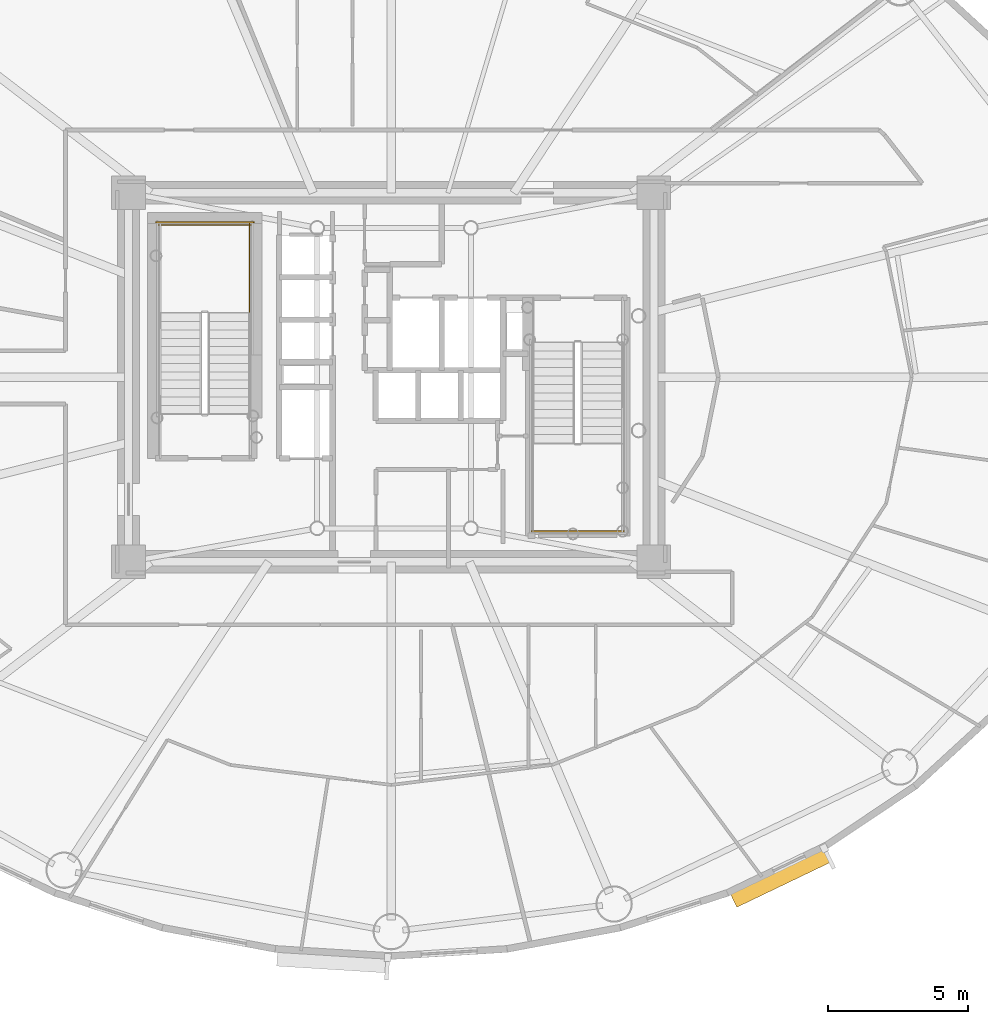
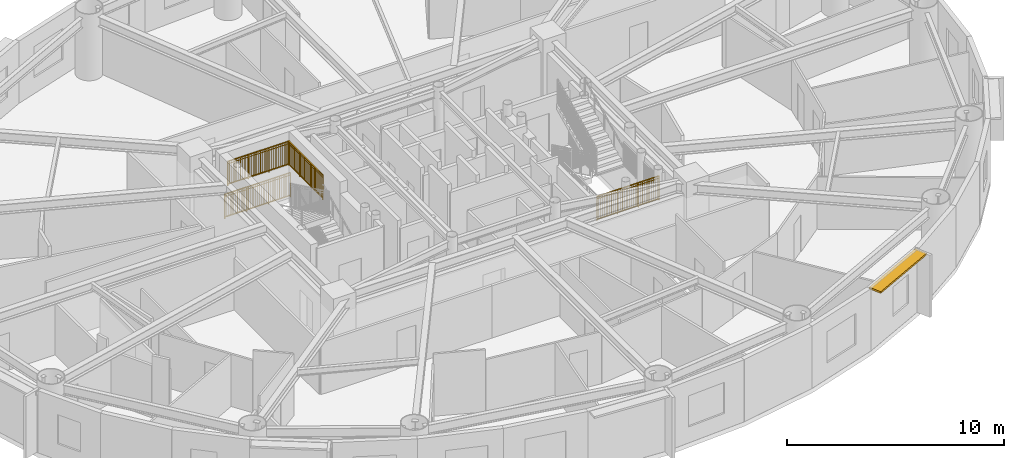
# One storey, part 15 of 18: 4 railings, 1 shading device.
"""IFC4 building model written with IfcOpenShell, lengths in metres."""

from ifc_helpers import new_model, si_unit, direction, frame, origin, origin_2d, place, context, subcontext, project, spatial, rectangle, extrude, source, transform, mapped, material, layer, layer_set, type_object, element, save


model = new_model("IFC4")

# Units and contexts
model_context = context("Model", 3, precision=1e-05, world=origin(), true_north=direction((0.0, 1.0)))
body_context = subcontext(model_context, "Body", "Model", "MODEL_VIEW")
ifc_project = project(units=[si_unit("LENGTHUNIT", "METRE"), si_unit("AREAUNIT", "SQUARE_METRE"), si_unit("VOLUMEUNIT", "CUBIC_METRE"), si_unit("PLANEANGLEUNIT", "RADIAN"), si_unit("MASSUNIT", "GRAM", prefix="KILO")], contexts=[model_context])

# Site, building, storey
site_placement = place(None, origin())
site = spatial("IfcSite", under=ifc_project, at=site_placement, CompositionType="ELEMENT")
building_placement = place(site_placement, origin())
building = spatial("IfcBuilding", under=site, at=building_placement, Name="Linh Dai School and Residence Tower", CompositionType="ELEMENT")
storey_placement = place(building_placement, frame((0.0, 0.0, 186.14990234375)))
storey = spatial("IfcBuildingStorey", under=building, at=storey_placement, Name="L45", CompositionType="ELEMENT", Elevation=186.14990234375)

# Shading device
ifc_material_1 = material(Name="Terracotta Ceramic Sunshade", Category="masonry")
ifc_layer = layer(ifc_material_1, 0.10009765625)
ifc_layer_set = layer_set([ifc_layer], Name="Terracotta Ceramic Sunshade")
shading_device_type = type_object("IfcShadingDeviceType", Name="SHD-TC-650", PredefinedType="USERDEFINED", material=ifc_layer_set)
shared_shape_1 = source(origin(), body_context, "Body", "SweptSolid", [
    extrude(rectangle(XDim=3.773193359375, YDim=0.64990234375, at=origin_2d()), origin(), (0.0, 0.0, 1.0), 0.10009765625),
])
shading_device_placement = place(storey_placement, frame((49.9248046875, 9.149658203125, 3.380126953125), z_axis=(0.0, 0.0, 1.0), x_axis=(-0.901569306779, -0.432634701653, 0.0)))
element("IfcShadingDevice", 1, at=shading_device_placement, inside=storey, type_object=shading_device_type, Name="L45 Terracotta Horizontal Sunshade Band 34", ObjectType="SUNSHADE", PredefinedType="USERDEFINED", context=body_context, shape_type="MappedRepresentation", body=[
    mapped(shared_shape_1, transform((0.0, 0.0, 0.0), x_axis=(1.0, 0.0, 0.0), y_axis=(0.0, 1.0, 0.0), z_axis=(0.0, 0.0, 1.0), scale=1.0)),
])

# Railings
ifc_material_2 = material(Name="Structural Steel S355JR", Category="steel")
railing_type = type_object("IfcRailingType", Name="RL-ST-GUARD-1400", PredefinedType="GUARDRAIL", material=ifc_material_2)
shared_shape_2 = source(origin(), body_context, "Body", "SweptSolid", [
    extrude(rectangle(XDim=0.048095703125, YDim=0.048095703125, at=origin_2d()), frame((0.0, 0.0, 1.3759765625), z_axis=(-1.0, 0.0, 0.0), x_axis=(0.0, -1.0, 0.0)), (0.0, 0.0, 1.0), 3.300048828125),
    extrude(rectangle(XDim=0.048095703125, YDim=0.048095703125, at=origin_2d()), frame((0.0, 0.0, 0.10009765625), z_axis=(-1.0, 0.0, 0.0), x_axis=(0.0, -1.0, 0.0)), (0.0, 0.0, 1.0), 3.300048828125),
    extrude(rectangle(XDim=0.030029296875, YDim=0.030029296875, at=origin_2d()), frame((0.0, 0.0, 1.239990234375), z_axis=(-1.0, 0.0, 0.0), x_axis=(0.0, -1.0, 0.0)), (0.0, 0.0, 1.0), 3.300048828125),
    extrude(rectangle(XDim=0.02001953125, YDim=0.02001953125, at=origin_2d()), frame((-0.09716796875, 0.0, 0.10009765625)), (0.0, 0.0, 1.0), 1.251708984375),
    extrude(rectangle(XDim=0.02001953125, YDim=0.02001953125, at=origin_2d()), frame((-0.194091796875, 0.0, 0.10009765625)), (0.0, 0.0, 1.0), 1.251708984375),
    extrude(rectangle(XDim=0.02001953125, YDim=0.02001953125, at=origin_2d()), frame((-0.291259765625, 0.0, 0.10009765625)), (0.0, 0.0, 1.0), 1.251708984375),
    extrude(rectangle(XDim=0.02001953125, YDim=0.02001953125, at=origin_2d()), frame((-0.38818359375, 0.0, 0.10009765625)), (0.0, 0.0, 1.0), 1.251708984375),
    extrude(rectangle(XDim=0.02001953125, YDim=0.02001953125, at=origin_2d()), frame((-0.4853515625, 0.0, 0.10009765625)), (0.0, 0.0, 1.0), 1.251708984375),
    extrude(rectangle(XDim=0.02001953125, YDim=0.02001953125, at=origin_2d()), frame((-0.582275390625, 0.0, 0.10009765625)), (0.0, 0.0, 1.0), 1.251708984375),
    extrude(rectangle(XDim=0.02001953125, YDim=0.02001953125, at=origin_2d()), frame((-0.679443359375, 0.0, 0.10009765625)), (0.0, 0.0, 1.0), 1.251708984375),
    extrude(rectangle(XDim=0.02001953125, YDim=0.02001953125, at=origin_2d()), frame((-0.7763671875, 0.0, 0.10009765625)), (0.0, 0.0, 1.0), 1.251708984375),
    extrude(rectangle(XDim=0.02001953125, YDim=0.02001953125, at=origin_2d()), frame((-0.87353515625, 0.0, 0.10009765625)), (0.0, 0.0, 1.0), 1.251708984375),
    extrude(rectangle(XDim=0.02001953125, YDim=0.02001953125, at=origin_2d()), frame((-0.970703125, 0.0, 0.10009765625)), (0.0, 0.0, 1.0), 1.251708984375),
    extrude(rectangle(XDim=0.02001953125, YDim=0.02001953125, at=origin_2d()), frame((-1.164794921875, 0.0, 0.10009765625)), (0.0, 0.0, 1.0), 1.251708984375),
    extrude(rectangle(XDim=0.02001953125, YDim=0.02001953125, at=origin_2d()), frame((-1.26171875, 0.0, 0.10009765625)), (0.0, 0.0, 1.0), 1.251708984375),
    extrude(rectangle(XDim=0.02001953125, YDim=0.02001953125, at=origin_2d()), frame((-1.35888671875, 0.0, 0.10009765625)), (0.0, 0.0, 1.0), 1.251708984375),
    extrude(rectangle(XDim=0.02001953125, YDim=0.02001953125, at=origin_2d()), frame((-1.455810546875, 0.0, 0.10009765625)), (0.0, 0.0, 1.0), 1.251708984375),
    extrude(rectangle(XDim=0.02001953125, YDim=0.02001953125, at=origin_2d()), frame((-1.552978515625, 0.0, 0.10009765625)), (0.0, 0.0, 1.0), 1.251708984375),
    extrude(rectangle(XDim=0.02001953125, YDim=0.02001953125, at=origin_2d()), frame((-1.64990234375, 0.0, 0.10009765625)), (0.0, 0.0, 1.0), 1.251708984375),
    extrude(rectangle(XDim=0.02001953125, YDim=0.02001953125, at=origin_2d()), frame((-1.7470703125, 0.0, 0.10009765625)), (0.0, 0.0, 1.0), 1.251708984375),
    extrude(rectangle(XDim=0.02001953125, YDim=0.02001953125, at=origin_2d()), frame((-1.84423828125, 0.0, 0.10009765625)), (0.0, 0.0, 1.0), 1.251708984375),
    extrude(rectangle(XDim=0.02001953125, YDim=0.02001953125, at=origin_2d()), frame((-1.941162109375, 0.0, 0.10009765625)), (0.0, 0.0, 1.0), 1.251708984375),
    extrude(rectangle(XDim=0.02001953125, YDim=0.02001953125, at=origin_2d()), frame((-2.038330078125, 0.0, 0.10009765625)), (0.0, 0.0, 1.0), 1.251708984375),
    extrude(rectangle(XDim=0.02001953125, YDim=0.02001953125, at=origin_2d()), frame((-2.13525390625, 0.0, 0.10009765625)), (0.0, 0.0, 1.0), 1.251708984375),
    extrude(rectangle(XDim=0.02001953125, YDim=0.02001953125, at=origin_2d()), frame((-2.329345703125, 0.0, 0.10009765625)), (0.0, 0.0, 1.0), 1.251708984375),
    extrude(rectangle(XDim=0.02001953125, YDim=0.02001953125, at=origin_2d()), frame((-2.426513671875, 0.0, 0.10009765625)), (0.0, 0.0, 1.0), 1.251708984375),
    extrude(rectangle(XDim=0.02001953125, YDim=0.02001953125, at=origin_2d()), frame((-2.523681640625, 0.0, 0.10009765625)), (0.0, 0.0, 1.0), 1.251708984375),
    extrude(rectangle(XDim=0.02001953125, YDim=0.02001953125, at=origin_2d()), frame((-2.62060546875, 0.0, 0.10009765625)), (0.0, 0.0, 1.0), 1.251708984375),
    extrude(rectangle(XDim=0.02001953125, YDim=0.02001953125, at=origin_2d()), frame((-2.7177734375, 0.0, 0.10009765625)), (0.0, 0.0, 1.0), 1.251708984375),
    extrude(rectangle(XDim=0.02001953125, YDim=0.02001953125, at=origin_2d()), frame((-2.814697265625, 0.0, 0.10009765625)), (0.0, 0.0, 1.0), 1.251708984375),
    extrude(rectangle(XDim=0.02001953125, YDim=0.02001953125, at=origin_2d()), frame((-2.911865234375, 0.0, 0.10009765625)), (0.0, 0.0, 1.0), 1.251708984375),
    extrude(rectangle(XDim=0.02001953125, YDim=0.02001953125, at=origin_2d()), frame((-3.0087890625, 0.0, 0.10009765625)), (0.0, 0.0, 1.0), 1.251708984375),
    extrude(rectangle(XDim=0.02001953125, YDim=0.02001953125, at=origin_2d()), frame((-3.10595703125, 0.0, 0.10009765625)), (0.0, 0.0, 1.0), 1.251708984375),
    extrude(rectangle(XDim=0.02001953125, YDim=0.02001953125, at=origin_2d()), frame((-3.202880859375, 0.0, 0.10009765625)), (0.0, 0.0, 1.0), 1.251708984375),
    extrude(rectangle(XDim=0.0419921875, YDim=0.0419921875, at=origin_2d()), origin(), (0.0, 0.0, 1.0), 1.3759765625),
    extrude(rectangle(XDim=0.0419921875, YDim=0.0419921875, at=origin_2d()), frame((-1.10009765625, 0.0, 0.0)), (0.0, 0.0, 1.0), 1.3759765625),
    extrude(rectangle(XDim=0.0419921875, YDim=0.0419921875, at=origin_2d()), frame((-2.199951171875, 0.0, 0.0)), (0.0, 0.0, 1.0), 1.3759765625),
    extrude(rectangle(XDim=0.0419921875, YDim=0.0419921875, at=origin_2d()), frame((-3.300048828125, 0.0, 0.0)), (0.0, 0.0, 1.0), 1.3759765625),
])
railing_1_placement = place(storey_placement, frame((30.97998046875, 32.449951171875, 1.875)))
element("IfcRailing", 2, at=railing_1_placement, inside=storey, type_object=railing_type, Name="L45 ST1 stair guard 5", PredefinedType="GUARDRAIL", context=body_context, shape_type="MappedRepresentation", body=[
    mapped(shared_shape_2, transform((0.0, 0.0, 0.0), x_axis=(1.0, 0.0, 0.0), y_axis=(0.0, 1.0, 0.0), z_axis=(0.0, 0.0, 1.0), scale=1.0)),
])
shared_shape_3 = source(origin(), body_context, "Body", "SweptSolid", [
    extrude(rectangle(XDim=0.048095703125, YDim=0.048095703125, at=origin_2d()), frame((0.0, 0.0, 1.3759765625), z_axis=(-1.0, 0.0, 0.0), x_axis=(0.0, -1.0, 0.0)), (0.0, 0.0, 1.0), 3.5),
    extrude(rectangle(XDim=0.048095703125, YDim=0.048095703125, at=origin_2d()), frame((0.0, 0.0, 0.10009765625), z_axis=(-1.0, 0.0, 0.0), x_axis=(0.0, -1.0, 0.0)), (0.0, 0.0, 1.0), 3.5),
    extrude(rectangle(XDim=0.030029296875, YDim=0.030029296875, at=origin_2d()), frame((0.0, 0.0, 1.239990234375), z_axis=(-1.0, 0.0, 0.0), x_axis=(0.0, -1.0, 0.0)), (0.0, 0.0, 1.0), 3.5),
    extrude(rectangle(XDim=0.02001953125, YDim=0.02001953125, at=origin_2d()), frame((-0.09716796875, 0.0, 0.10009765625)), (0.0, 0.0, 1.0), 1.251708984375),
    extrude(rectangle(XDim=0.02001953125, YDim=0.02001953125, at=origin_2d()), frame((-0.1943359375, 0.0, 0.10009765625)), (0.0, 0.0, 1.0), 1.251708984375),
    extrude(rectangle(XDim=0.02001953125, YDim=0.02001953125, at=origin_2d()), frame((-0.291748046875, 0.0, 0.10009765625)), (0.0, 0.0, 1.0), 1.251708984375),
    extrude(rectangle(XDim=0.02001953125, YDim=0.02001953125, at=origin_2d()), frame((-0.388916015625, 0.0, 0.10009765625)), (0.0, 0.0, 1.0), 1.251708984375),
    extrude(rectangle(XDim=0.02001953125, YDim=0.02001953125, at=origin_2d()), frame((-0.486083984375, 0.0, 0.10009765625)), (0.0, 0.0, 1.0), 1.251708984375),
    extrude(rectangle(XDim=0.02001953125, YDim=0.02001953125, at=origin_2d()), frame((-0.583251953125, 0.0, 0.10009765625)), (0.0, 0.0, 1.0), 1.251708984375),
    extrude(rectangle(XDim=0.02001953125, YDim=0.02001953125, at=origin_2d()), frame((-0.6806640625, 0.0, 0.10009765625)), (0.0, 0.0, 1.0), 1.251708984375),
    extrude(rectangle(XDim=0.02001953125, YDim=0.02001953125, at=origin_2d()), frame((-0.77783203125, 0.0, 0.10009765625)), (0.0, 0.0, 1.0), 1.251708984375),
    extrude(rectangle(XDim=0.02001953125, YDim=0.02001953125, at=origin_2d()), frame((-0.875, 0.0, 0.10009765625)), (0.0, 0.0, 1.0), 1.251708984375),
    extrude(rectangle(XDim=0.02001953125, YDim=0.02001953125, at=origin_2d()), frame((-0.97216796875, 0.0, 0.10009765625)), (0.0, 0.0, 1.0), 1.251708984375),
    extrude(rectangle(XDim=0.02001953125, YDim=0.02001953125, at=origin_2d()), frame((-1.0693359375, 0.0, 0.10009765625)), (0.0, 0.0, 1.0), 1.251708984375),
    extrude(rectangle(XDim=0.02001953125, YDim=0.02001953125, at=origin_2d()), frame((-1.263916015625, 0.0, 0.10009765625)), (0.0, 0.0, 1.0), 1.251708984375),
    extrude(rectangle(XDim=0.02001953125, YDim=0.02001953125, at=origin_2d()), frame((-1.361083984375, 0.0, 0.10009765625)), (0.0, 0.0, 1.0), 1.251708984375),
    extrude(rectangle(XDim=0.02001953125, YDim=0.02001953125, at=origin_2d()), frame((-1.458251953125, 0.0, 0.10009765625)), (0.0, 0.0, 1.0), 1.251708984375),
    extrude(rectangle(XDim=0.02001953125, YDim=0.02001953125, at=origin_2d()), frame((-1.5556640625, 0.0, 0.10009765625)), (0.0, 0.0, 1.0), 1.251708984375),
    extrude(rectangle(XDim=0.02001953125, YDim=0.02001953125, at=origin_2d()), frame((-1.65283203125, 0.0, 0.10009765625)), (0.0, 0.0, 1.0), 1.251708984375),
    extrude(rectangle(XDim=0.02001953125, YDim=0.02001953125, at=origin_2d()), frame((-1.75, 0.0, 0.10009765625)), (0.0, 0.0, 1.0), 1.251708984375),
    extrude(rectangle(XDim=0.02001953125, YDim=0.02001953125, at=origin_2d()), frame((-1.84716796875, 0.0, 0.10009765625)), (0.0, 0.0, 1.0), 1.251708984375),
    extrude(rectangle(XDim=0.02001953125, YDim=0.02001953125, at=origin_2d()), frame((-1.9443359375, 0.0, 0.10009765625)), (0.0, 0.0, 1.0), 1.251708984375),
    extrude(rectangle(XDim=0.02001953125, YDim=0.02001953125, at=origin_2d()), frame((-2.041748046875, 0.0, 0.10009765625)), (0.0, 0.0, 1.0), 1.251708984375),
    extrude(rectangle(XDim=0.02001953125, YDim=0.02001953125, at=origin_2d()), frame((-2.138916015625, 0.0, 0.10009765625)), (0.0, 0.0, 1.0), 1.251708984375),
    extrude(rectangle(XDim=0.02001953125, YDim=0.02001953125, at=origin_2d()), frame((-2.236083984375, 0.0, 0.10009765625)), (0.0, 0.0, 1.0), 1.251708984375),
    extrude(rectangle(XDim=0.02001953125, YDim=0.02001953125, at=origin_2d()), frame((-2.4306640625, 0.0, 0.10009765625)), (0.0, 0.0, 1.0), 1.251708984375),
    extrude(rectangle(XDim=0.02001953125, YDim=0.02001953125, at=origin_2d()), frame((-2.52783203125, 0.0, 0.10009765625)), (0.0, 0.0, 1.0), 1.251708984375),
    extrude(rectangle(XDim=0.02001953125, YDim=0.02001953125, at=origin_2d()), frame((-2.625, 0.0, 0.10009765625)), (0.0, 0.0, 1.0), 1.251708984375),
    extrude(rectangle(XDim=0.02001953125, YDim=0.02001953125, at=origin_2d()), frame((-2.72216796875, 0.0, 0.10009765625)), (0.0, 0.0, 1.0), 1.251708984375),
    extrude(rectangle(XDim=0.02001953125, YDim=0.02001953125, at=origin_2d()), frame((-2.8193359375, 0.0, 0.10009765625)), (0.0, 0.0, 1.0), 1.251708984375),
    extrude(rectangle(XDim=0.02001953125, YDim=0.02001953125, at=origin_2d()), frame((-2.916748046875, 0.0, 0.10009765625)), (0.0, 0.0, 1.0), 1.251708984375),
    extrude(rectangle(XDim=0.02001953125, YDim=0.02001953125, at=origin_2d()), frame((-3.013916015625, 0.0, 0.10009765625)), (0.0, 0.0, 1.0), 1.251708984375),
    extrude(rectangle(XDim=0.02001953125, YDim=0.02001953125, at=origin_2d()), frame((-3.111083984375, 0.0, 0.10009765625)), (0.0, 0.0, 1.0), 1.251708984375),
    extrude(rectangle(XDim=0.02001953125, YDim=0.02001953125, at=origin_2d()), frame((-3.208251953125, 0.0, 0.10009765625)), (0.0, 0.0, 1.0), 1.251708984375),
    extrude(rectangle(XDim=0.02001953125, YDim=0.02001953125, at=origin_2d()), frame((-3.3056640625, 0.0, 0.10009765625)), (0.0, 0.0, 1.0), 1.251708984375),
    extrude(rectangle(XDim=0.02001953125, YDim=0.02001953125, at=origin_2d()), frame((-3.40283203125, 0.0, 0.10009765625)), (0.0, 0.0, 1.0), 1.251708984375),
    extrude(rectangle(XDim=0.0419921875, YDim=0.0419921875, at=origin_2d()), origin(), (0.0, 0.0, 1.0), 1.3759765625),
    extrude(rectangle(XDim=0.0419921875, YDim=0.0419921875, at=origin_2d()), frame((-1.166748046875, 0.0, 0.0)), (0.0, 0.0, 1.0), 1.3759765625),
    extrude(rectangle(XDim=0.0419921875, YDim=0.0419921875, at=origin_2d()), frame((-2.333251953125, 0.0, 0.0)), (0.0, 0.0, 1.0), 1.3759765625),
    extrude(rectangle(XDim=0.0419921875, YDim=0.0419921875, at=origin_2d()), frame((-3.5, 0.0, 0.0)), (0.0, 0.0, 1.0), 1.3759765625),
])
railing_2_placement = place(storey_placement, frame((31.080078125, 32.550048828125, 0.0)))
element("IfcRailing", 3, at=railing_2_placement, inside=storey, type_object=railing_type, Name="L45 ST1 stair guard 12", PredefinedType="GUARDRAIL", context=body_context, shape_type="MappedRepresentation", body=[
    mapped(shared_shape_3, transform((0.0, 0.0, 0.0), x_axis=(1.0, 0.0, 0.0), y_axis=(0.0, 1.0, 0.0), z_axis=(0.0, 0.0, 1.0), scale=1.0)),
])
shared_shape_4 = source(origin(), body_context, "Body", "SweptSolid", [
    extrude(rectangle(XDim=0.048095703125, YDim=0.048095703125, at=origin_2d()), frame((0.0, 0.0, 1.3759765625), z_axis=(0.0, 1.0, 0.0), x_axis=(-1.0, 0.0, 0.0)), (0.0, 0.0, 1.0), 3.199951171875),
    extrude(rectangle(XDim=0.048095703125, YDim=0.048095703125, at=origin_2d()), frame((0.0, 0.0, 0.10009765625), z_axis=(0.0, 1.0, 0.0), x_axis=(-1.0, 0.0, 0.0)), (0.0, 0.0, 1.0), 3.199951171875),
    extrude(rectangle(XDim=0.030029296875, YDim=0.030029296875, at=origin_2d()), frame((0.0, 0.0, 1.239990234375), z_axis=(0.0, 1.0, 0.0), x_axis=(-1.0, 0.0, 0.0)), (0.0, 0.0, 1.0), 3.199951171875),
    extrude(rectangle(XDim=0.02001953125, YDim=0.02001953125, at=origin_2d()), frame((0.0, 0.096923828125, 0.10009765625)), (0.0, 0.0, 1.0), 1.251708984375),
    extrude(rectangle(XDim=0.02001953125, YDim=0.02001953125, at=origin_2d()), frame((0.0, 0.19384765625, 0.10009765625)), (0.0, 0.0, 1.0), 1.251708984375),
    extrude(rectangle(XDim=0.02001953125, YDim=0.02001953125, at=origin_2d()), frame((0.0, 0.291015625, 0.10009765625)), (0.0, 0.0, 1.0), 1.251708984375),
    extrude(rectangle(XDim=0.02001953125, YDim=0.02001953125, at=origin_2d()), frame((0.0, 0.387939453125, 0.10009765625)), (0.0, 0.0, 1.0), 1.251708984375),
    extrude(rectangle(XDim=0.02001953125, YDim=0.02001953125, at=origin_2d()), frame((0.0, 0.48486328125, 0.10009765625)), (0.0, 0.0, 1.0), 1.251708984375),
    extrude(rectangle(XDim=0.02001953125, YDim=0.02001953125, at=origin_2d()), frame((0.0, 0.581787109375, 0.10009765625)), (0.0, 0.0, 1.0), 1.251708984375),
    extrude(rectangle(XDim=0.02001953125, YDim=0.02001953125, at=origin_2d()), frame((0.0, 0.6787109375, 0.10009765625)), (0.0, 0.0, 1.0), 1.251708984375),
    extrude(rectangle(XDim=0.02001953125, YDim=0.02001953125, at=origin_2d()), frame((0.0, 0.775634765625, 0.10009765625)), (0.0, 0.0, 1.0), 1.251708984375),
    extrude(rectangle(XDim=0.02001953125, YDim=0.02001953125, at=origin_2d()), frame((0.0, 0.872802734375, 0.10009765625)), (0.0, 0.0, 1.0), 1.251708984375),
    extrude(rectangle(XDim=0.02001953125, YDim=0.02001953125, at=origin_2d()), frame((0.0, 0.9697265625, 0.10009765625)), (0.0, 0.0, 1.0), 1.251708984375),
    extrude(rectangle(XDim=0.02001953125, YDim=0.02001953125, at=origin_2d()), frame((0.0, 1.16357421875, 0.10009765625)), (0.0, 0.0, 1.0), 1.251708984375),
    extrude(rectangle(XDim=0.02001953125, YDim=0.02001953125, at=origin_2d()), frame((0.0, 1.260498046875, 0.10009765625)), (0.0, 0.0, 1.0), 1.251708984375),
    extrude(rectangle(XDim=0.02001953125, YDim=0.02001953125, at=origin_2d()), frame((0.0, 1.357666015625, 0.10009765625)), (0.0, 0.0, 1.0), 1.251708984375),
    extrude(rectangle(XDim=0.02001953125, YDim=0.02001953125, at=origin_2d()), frame((0.0, 1.45458984375, 0.10009765625)), (0.0, 0.0, 1.0), 1.251708984375),
    extrude(rectangle(XDim=0.02001953125, YDim=0.02001953125, at=origin_2d()), frame((0.0, 1.551513671875, 0.10009765625)), (0.0, 0.0, 1.0), 1.251708984375),
    extrude(rectangle(XDim=0.02001953125, YDim=0.02001953125, at=origin_2d()), frame((0.0, 1.6484375, 0.10009765625)), (0.0, 0.0, 1.0), 1.251708984375),
    extrude(rectangle(XDim=0.02001953125, YDim=0.02001953125, at=origin_2d()), frame((0.0, 1.745361328125, 0.10009765625)), (0.0, 0.0, 1.0), 1.251708984375),
    extrude(rectangle(XDim=0.02001953125, YDim=0.02001953125, at=origin_2d()), frame((0.0, 1.84228515625, 0.10009765625)), (0.0, 0.0, 1.0), 1.251708984375),
    extrude(rectangle(XDim=0.02001953125, YDim=0.02001953125, at=origin_2d()), frame((0.0, 1.939453125, 0.10009765625)), (0.0, 0.0, 1.0), 1.251708984375),
    extrude(rectangle(XDim=0.02001953125, YDim=0.02001953125, at=origin_2d()), frame((0.0, 2.036376953125, 0.10009765625)), (0.0, 0.0, 1.0), 1.251708984375),
    extrude(rectangle(XDim=0.02001953125, YDim=0.02001953125, at=origin_2d()), frame((0.0, 2.230224609375, 0.10009765625)), (0.0, 0.0, 1.0), 1.251708984375),
    extrude(rectangle(XDim=0.02001953125, YDim=0.02001953125, at=origin_2d()), frame((0.0, 2.3271484375, 0.10009765625)), (0.0, 0.0, 1.0), 1.251708984375),
    extrude(rectangle(XDim=0.02001953125, YDim=0.02001953125, at=origin_2d()), frame((0.0, 2.42431640625, 0.10009765625)), (0.0, 0.0, 1.0), 1.251708984375),
    extrude(rectangle(XDim=0.02001953125, YDim=0.02001953125, at=origin_2d()), frame((0.0, 2.521240234375, 0.10009765625)), (0.0, 0.0, 1.0), 1.251708984375),
    extrude(rectangle(XDim=0.02001953125, YDim=0.02001953125, at=origin_2d()), frame((0.0, 2.6181640625, 0.10009765625)), (0.0, 0.0, 1.0), 1.251708984375),
    extrude(rectangle(XDim=0.02001953125, YDim=0.02001953125, at=origin_2d()), frame((0.0, 2.715087890625, 0.10009765625)), (0.0, 0.0, 1.0), 1.251708984375),
    extrude(rectangle(XDim=0.02001953125, YDim=0.02001953125, at=origin_2d()), frame((0.0, 2.81201171875, 0.10009765625)), (0.0, 0.0, 1.0), 1.251708984375),
    extrude(rectangle(XDim=0.02001953125, YDim=0.02001953125, at=origin_2d()), frame((0.0, 2.908935546875, 0.10009765625)), (0.0, 0.0, 1.0), 1.251708984375),
    extrude(rectangle(XDim=0.02001953125, YDim=0.02001953125, at=origin_2d()), frame((0.0, 3.006103515625, 0.10009765625)), (0.0, 0.0, 1.0), 1.251708984375),
    extrude(rectangle(XDim=0.02001953125, YDim=0.02001953125, at=origin_2d()), frame((0.0, 3.10302734375, 0.10009765625)), (0.0, 0.0, 1.0), 1.251708984375),
    extrude(rectangle(XDim=0.0419921875, YDim=0.0419921875, at=origin_2d()), origin(), (0.0, 0.0, 1.0), 1.3759765625),
    extrude(rectangle(XDim=0.0419921875, YDim=0.0419921875, at=origin_2d()), frame((0.0, 1.066650390625, 0.0)), (0.0, 0.0, 1.0), 1.3759765625),
    extrude(rectangle(XDim=0.0419921875, YDim=0.0419921875, at=origin_2d()), frame((0.0, 2.13330078125, 0.0)), (0.0, 0.0, 1.0), 1.3759765625),
    extrude(rectangle(XDim=0.0419921875, YDim=0.0419921875, at=origin_2d()), frame((0.0, 3.199951171875, 0.0)), (0.0, 0.0, 1.0), 1.3759765625),
])
railing_3_placement = place(storey_placement, frame((30.929931640625, 29.300048828125, 1.875)))
element("IfcRailing", 4, at=railing_3_placement, inside=storey, type_object=railing_type, Name="L45 ST1 stair guard 3", PredefinedType="GUARDRAIL", context=body_context, shape_type="MappedRepresentation", body=[
    mapped(shared_shape_4, transform((0.0, 0.0, 0.0), x_axis=(1.0, 0.0, 0.0), y_axis=(0.0, 1.0, 0.0), z_axis=(0.0, 0.0, 1.0), scale=1.0)),
])
shared_shape_5 = source(origin(), body_context, "Body", "SweptSolid", [
    extrude(rectangle(XDim=0.048095703125, YDim=0.048095703125, at=origin_2d()), frame((0.0, 0.0, 1.3759765625), z_axis=(1.0, 0.0, 0.0), x_axis=(0.0, 1.0, 0.0)), (0.0, 0.0, 1.0), 3.300048828125),
    extrude(rectangle(XDim=0.048095703125, YDim=0.048095703125, at=origin_2d()), frame((0.0, 0.0, 0.10009765625), z_axis=(1.0, 0.0, 0.0), x_axis=(0.0, 1.0, 0.0)), (0.0, 0.0, 1.0), 3.300048828125),
    extrude(rectangle(XDim=0.030029296875, YDim=0.030029296875, at=origin_2d()), frame((0.0, 0.0, 1.239990234375), z_axis=(1.0, 0.0, 0.0), x_axis=(0.0, 1.0, 0.0)), (0.0, 0.0, 1.0), 3.300048828125),
    extrude(rectangle(XDim=0.02001953125, YDim=0.02001953125, at=origin_2d()), frame((0.09716796875, 0.0, 0.10009765625)), (0.0, 0.0, 1.0), 1.251708984375),
    extrude(rectangle(XDim=0.02001953125, YDim=0.02001953125, at=origin_2d()), frame((0.194091796875, 0.0, 0.10009765625)), (0.0, 0.0, 1.0), 1.251708984375),
    extrude(rectangle(XDim=0.02001953125, YDim=0.02001953125, at=origin_2d()), frame((0.291259765625, 0.0, 0.10009765625)), (0.0, 0.0, 1.0), 1.251708984375),
    extrude(rectangle(XDim=0.02001953125, YDim=0.02001953125, at=origin_2d()), frame((0.38818359375, 0.0, 0.10009765625)), (0.0, 0.0, 1.0), 1.251708984375),
    extrude(rectangle(XDim=0.02001953125, YDim=0.02001953125, at=origin_2d()), frame((0.4853515625, 0.0, 0.10009765625)), (0.0, 0.0, 1.0), 1.251708984375),
    extrude(rectangle(XDim=0.02001953125, YDim=0.02001953125, at=origin_2d()), frame((0.582275390625, 0.0, 0.10009765625)), (0.0, 0.0, 1.0), 1.251708984375),
    extrude(rectangle(XDim=0.02001953125, YDim=0.02001953125, at=origin_2d()), frame((0.679443359375, 0.0, 0.10009765625)), (0.0, 0.0, 1.0), 1.251708984375),
    extrude(rectangle(XDim=0.02001953125, YDim=0.02001953125, at=origin_2d()), frame((0.7763671875, 0.0, 0.10009765625)), (0.0, 0.0, 1.0), 1.251708984375),
    extrude(rectangle(XDim=0.02001953125, YDim=0.02001953125, at=origin_2d()), frame((0.87353515625, 0.0, 0.10009765625)), (0.0, 0.0, 1.0), 1.251708984375),
    extrude(rectangle(XDim=0.02001953125, YDim=0.02001953125, at=origin_2d()), frame((0.970703125, 0.0, 0.10009765625)), (0.0, 0.0, 1.0), 1.251708984375),
    extrude(rectangle(XDim=0.02001953125, YDim=0.02001953125, at=origin_2d()), frame((1.164794921875, 0.0, 0.10009765625)), (0.0, 0.0, 1.0), 1.251708984375),
    extrude(rectangle(XDim=0.02001953125, YDim=0.02001953125, at=origin_2d()), frame((1.26171875, 0.0, 0.10009765625)), (0.0, 0.0, 1.0), 1.251708984375),
    extrude(rectangle(XDim=0.02001953125, YDim=0.02001953125, at=origin_2d()), frame((1.35888671875, 0.0, 0.10009765625)), (0.0, 0.0, 1.0), 1.251708984375),
    extrude(rectangle(XDim=0.02001953125, YDim=0.02001953125, at=origin_2d()), frame((1.455810546875, 0.0, 0.10009765625)), (0.0, 0.0, 1.0), 1.251708984375),
    extrude(rectangle(XDim=0.02001953125, YDim=0.02001953125, at=origin_2d()), frame((1.552978515625, 0.0, 0.10009765625)), (0.0, 0.0, 1.0), 1.251708984375),
    extrude(rectangle(XDim=0.02001953125, YDim=0.02001953125, at=origin_2d()), frame((1.64990234375, 0.0, 0.10009765625)), (0.0, 0.0, 1.0), 1.251708984375),
    extrude(rectangle(XDim=0.02001953125, YDim=0.02001953125, at=origin_2d()), frame((1.7470703125, 0.0, 0.10009765625)), (0.0, 0.0, 1.0), 1.251708984375),
    extrude(rectangle(XDim=0.02001953125, YDim=0.02001953125, at=origin_2d()), frame((1.84423828125, 0.0, 0.10009765625)), (0.0, 0.0, 1.0), 1.251708984375),
    extrude(rectangle(XDim=0.02001953125, YDim=0.02001953125, at=origin_2d()), frame((1.941162109375, 0.0, 0.10009765625)), (0.0, 0.0, 1.0), 1.251708984375),
    extrude(rectangle(XDim=0.02001953125, YDim=0.02001953125, at=origin_2d()), frame((2.038330078125, 0.0, 0.10009765625)), (0.0, 0.0, 1.0), 1.251708984375),
    extrude(rectangle(XDim=0.02001953125, YDim=0.02001953125, at=origin_2d()), frame((2.13525390625, 0.0, 0.10009765625)), (0.0, 0.0, 1.0), 1.251708984375),
    extrude(rectangle(XDim=0.02001953125, YDim=0.02001953125, at=origin_2d()), frame((2.329345703125, 0.0, 0.10009765625)), (0.0, 0.0, 1.0), 1.251708984375),
    extrude(rectangle(XDim=0.02001953125, YDim=0.02001953125, at=origin_2d()), frame((2.426513671875, 0.0, 0.10009765625)), (0.0, 0.0, 1.0), 1.251708984375),
    extrude(rectangle(XDim=0.02001953125, YDim=0.02001953125, at=origin_2d()), frame((2.523681640625, 0.0, 0.10009765625)), (0.0, 0.0, 1.0), 1.251708984375),
    extrude(rectangle(XDim=0.02001953125, YDim=0.02001953125, at=origin_2d()), frame((2.62060546875, 0.0, 0.10009765625)), (0.0, 0.0, 1.0), 1.251708984375),
    extrude(rectangle(XDim=0.02001953125, YDim=0.02001953125, at=origin_2d()), frame((2.7177734375, 0.0, 0.10009765625)), (0.0, 0.0, 1.0), 1.251708984375),
    extrude(rectangle(XDim=0.02001953125, YDim=0.02001953125, at=origin_2d()), frame((2.814697265625, 0.0, 0.10009765625)), (0.0, 0.0, 1.0), 1.251708984375),
    extrude(rectangle(XDim=0.02001953125, YDim=0.02001953125, at=origin_2d()), frame((2.911865234375, 0.0, 0.10009765625)), (0.0, 0.0, 1.0), 1.251708984375),
    extrude(rectangle(XDim=0.02001953125, YDim=0.02001953125, at=origin_2d()), frame((3.0087890625, 0.0, 0.10009765625)), (0.0, 0.0, 1.0), 1.251708984375),
    extrude(rectangle(XDim=0.02001953125, YDim=0.02001953125, at=origin_2d()), frame((3.10595703125, 0.0, 0.10009765625)), (0.0, 0.0, 1.0), 1.251708984375),
    extrude(rectangle(XDim=0.02001953125, YDim=0.02001953125, at=origin_2d()), frame((3.202880859375, 0.0, 0.10009765625)), (0.0, 0.0, 1.0), 1.251708984375),
    extrude(rectangle(XDim=0.0419921875, YDim=0.0419921875, at=origin_2d()), origin(), (0.0, 0.0, 1.0), 1.3759765625),
    extrude(rectangle(XDim=0.0419921875, YDim=0.0419921875, at=origin_2d()), frame((1.10009765625, 0.0, 0.0)), (0.0, 0.0, 1.0), 1.3759765625),
    extrude(rectangle(XDim=0.0419921875, YDim=0.0419921875, at=origin_2d()), frame((2.199951171875, 0.0, 0.0)), (0.0, 0.0, 1.0), 1.3759765625),
    extrude(rectangle(XDim=0.0419921875, YDim=0.0419921875, at=origin_2d()), frame((3.300048828125, 0.0, 0.0)), (0.0, 0.0, 1.0), 1.3759765625),
])
railing_4_placement = place(storey_placement, frame((41.02001953125, 21.5, 1.875)))
element("IfcRailing", 5, at=railing_4_placement, inside=storey, type_object=railing_type, Name="L45 ST2 stair guard 5", PredefinedType="GUARDRAIL", context=body_context, shape_type="MappedRepresentation", body=[
    mapped(shared_shape_5, transform((0.0, 0.0, 0.0), x_axis=(1.0, 0.0, 0.0), y_axis=(0.0, 1.0, 0.0), z_axis=(0.0, 0.0, 1.0), scale=1.0)),
])

save(model, "model.ifc")
